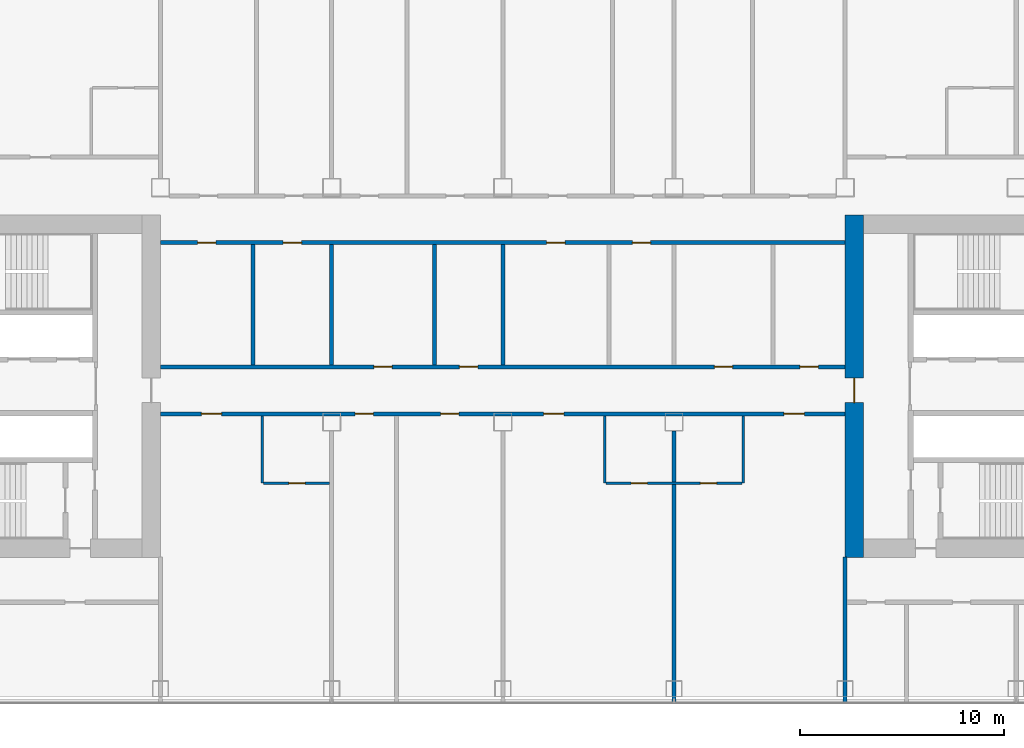
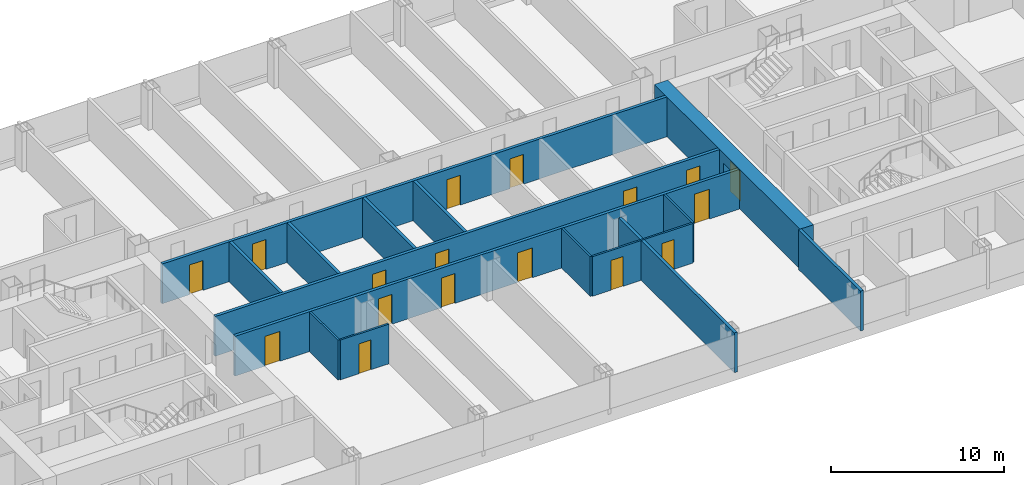
# One storey, part 17 of 29: 17 doors, 15 walls, 17 openings.
"""IFC4 building model written with IfcOpenShell, lengths in metres."""

from ifc_helpers import new_model, si_unit, direction, frame, frame_2d, origin, place, context, subcontext, project, spatial, rectangle, extrude, material, layer, layer_set, type_object, element, fill, save


model = new_model("IFC4")

# Units and contexts
model_context = context("Model", 3, precision=1e-05, world=origin(), true_north=direction((0.0, 1.0)))
body_context = subcontext(model_context, "Body", "Model", "MODEL_VIEW")
ifc_project = project(units=[si_unit("LENGTHUNIT", "METRE"), si_unit("AREAUNIT", "SQUARE_METRE"), si_unit("VOLUMEUNIT", "CUBIC_METRE"), si_unit("PLANEANGLEUNIT", "RADIAN"), si_unit("MASSUNIT", "GRAM", prefix="KILO")], contexts=[model_context])

# Site, building, storey
site_placement = place(None, origin())
site = spatial("IfcSite", under=ifc_project, at=site_placement, CompositionType="ELEMENT")
building_placement = place(site_placement, origin())
building = spatial("IfcBuilding", under=site, at=building_placement, Name="Hakoniwa Tower and Hamabe Station Hall", CompositionType="ELEMENT")
storey_placement = place(building_placement, frame((0.0, 0.0, 91.39990234375)))
storey = spatial("IfcBuildingStorey", under=building, at=storey_placement, Name="L25", CompositionType="ELEMENT", Elevation=91.39990234375)

# Wall, opening, door
ifc_material_1 = material(Name="Gypsum board partition", Category="gypsum")
ifc_layer_1 = layer(ifc_material_1, 0.125)
ifc_layer_set_1 = layer_set([ifc_layer_1], Name="Bathroom Partition 125")
wall_type_1 = type_object("IfcWallType", Name="Bathroom Partition 125", PredefinedType="PARTITIONING", material=ifc_layer_set_1)
wall_1_placement = place(storey_placement, frame((-11.737548828125, -4.75, 0.0), z_axis=(0.0, 0.0, 1.0), x_axis=(1.0, 0.0, 0.0)))
wall_1 = element("IfcWall", 1, at=wall_1_placement, inside=storey, type_object=wall_type_1, Name="GW-L25-006", PredefinedType="PARTITIONING", context=body_context, shape_type="SweptSolid", body=[
    extrude(rectangle(XDim=3.237548828125, YDim=0.125, at=frame_2d((1.61865234375, 0.0))), origin(), (0.0, 0.0, 1.0), 2.800048828125),
])
opening_1_placement = place(wall_1_placement, frame((1.237548828125, 0.0, 0.0)))
opening_1 = element("IfcOpeningElement", 2, at=opening_1_placement, cuts=wall_1, Name="Opening GD-G2A1-17", PredefinedType="OPENING", context=body_context, shape_type="SweptSolid", body=[
    extrude(rectangle(XDim=0.800048828125, YDim=2.10009765625, at=frame_2d((0.39990234375, 1.050048828125))), frame((0.0, 0.072509765625, 0.0), z_axis=(0.0, -1.0, 0.0), x_axis=(1.0, 0.0, 0.0)), (0.0, 0.0, 1.0), 0.14501953125),
])
ifc_material_2 = material(Name="Timber door leaf", Category="wood")
door_type_1 = type_object("IfcDoorType", Name="Bathroom Door 800", OperationType="SINGLE_SWING_LEFT", PredefinedType="DOOR", material=ifc_material_2)
door_1_placement = place(opening_1_placement, origin())
door_1 = element("IfcDoor", 3, at=door_1_placement, inside=storey, type_object=door_type_1, Name="Door GD-G2A1-17", OperationType="SINGLE_SWING_RIGHT", OverallHeight=2.10009765625, OverallWidth=0.800048828125, PredefinedType="DOOR", context=body_context, shape_type="SweptSolid", body=[
    extrude(rectangle(XDim=0.800048828125, YDim=2.10009765625, at=frame_2d((0.39990234375, 1.050048828125))), frame((0.0, 0.02490234375, 0.0), z_axis=(0.0, -1.0, 0.0), x_axis=(1.0, 0.0, 0.0)), (0.0, 0.0, 1.0), 0.050048828125),
])
fill(opening_1, door_1)

# Wall, openings, doors
wall_2_placement = place(storey_placement, frame((5.0625, -4.75, 0.0), z_axis=(0.0, 0.0, 1.0), x_axis=(1.0, 0.0, 0.0)))
wall_2 = element("IfcWall", 4, at=wall_2_placement, inside=storey, type_object=wall_type_1, Name="GW-L25-007", PredefinedType="PARTITIONING", context=body_context, shape_type="SweptSolid", body=[
    extrude(rectangle(XDim=6.675048828125, YDim=0.125, at=frame_2d((3.33740234375, 0.0))), origin(), (0.0, 0.0, 1.0), 2.800048828125),
])
opening_2_placement = place(wall_2_placement, frame((1.237548828125, 0.0, 0.0)))
opening_2 = element("IfcOpeningElement", 5, at=opening_2_placement, cuts=wall_2, Name="Opening GD-G2A1-18", PredefinedType="OPENING", context=body_context, shape_type="SweptSolid", body=[
    extrude(rectangle(XDim=0.800048828125, YDim=2.10009765625, at=frame_2d((0.39990234375, 1.050048828125))), frame((0.0, 0.072509765625, 0.0), z_axis=(0.0, -1.0, 0.0), x_axis=(1.0, 0.0, 0.0)), (0.0, 0.0, 1.0), 0.14501953125),
])
opening_3_placement = place(wall_2_placement, frame((4.637451171875, 0.0, 0.0)))
opening_3 = element("IfcOpeningElement", 6, at=opening_3_placement, cuts=wall_2, Name="Opening GD-G2A1-19", PredefinedType="OPENING", context=body_context, shape_type="SweptSolid", body=[
    extrude(rectangle(XDim=0.800048828125, YDim=2.10009765625, at=frame_2d((0.39990234375, 1.050048828125))), frame((0.0, 0.072509765625, 0.0), z_axis=(0.0, -1.0, 0.0), x_axis=(1.0, 0.0, 0.0)), (0.0, 0.0, 1.0), 0.14501953125),
])
door_2_placement = place(opening_2_placement, origin())
door_2 = element("IfcDoor", 7, at=door_2_placement, inside=storey, type_object=door_type_1, Name="Door GD-G2A1-18", OperationType="SINGLE_SWING_LEFT", OverallHeight=2.10009765625, OverallWidth=0.800048828125, PredefinedType="DOOR", context=body_context, shape_type="SweptSolid", body=[
    extrude(rectangle(XDim=0.800048828125, YDim=2.10009765625, at=frame_2d((0.39990234375, 1.050048828125))), frame((0.0, 0.02490234375, 0.0), z_axis=(0.0, -1.0, 0.0), x_axis=(1.0, 0.0, 0.0)), (0.0, 0.0, 1.0), 0.050048828125),
])
fill(opening_2, door_2)
door_3_placement = place(opening_3_placement, origin())
door_3 = element("IfcDoor", 8, at=door_3_placement, inside=storey, type_object=door_type_1, Name="Door GD-G2A1-19", OperationType="SINGLE_SWING_RIGHT", OverallHeight=2.10009765625, OverallWidth=0.800048828125, PredefinedType="DOOR", context=body_context, shape_type="SweptSolid", body=[
    extrude(rectangle(XDim=0.800048828125, YDim=2.10009765625, at=frame_2d((0.39990234375, 1.050048828125))), frame((0.0, 0.02490234375, 0.0), z_axis=(0.0, -1.0, 0.0), x_axis=(1.0, 0.0, 0.0)), (0.0, 0.0, 1.0), 0.050048828125),
])
fill(opening_3, door_3)

# Walls
for number, where, z_axis, x_axis, name in (
    (9, (-11.800048828125, -4.75, 0.0), (0.0, 0.0, 1.0), (0.0, 1.0, 0.0), "GW-L25-045"),
    (10, (5.0, -4.75, 0.0), (0.0, 0.0, 1.0), (0.0, 1.0, 0.0), "GW-L25-055"),
    (11, (11.800048828125, -4.75, 0.0), (0.0, 0.0, 1.0), (0.0, 1.0, 0.0), "GW-L25-061"),
):
    element("IfcWall", number, at=place(storey_placement, frame(where, z_axis=z_axis, x_axis=x_axis)), inside=storey, type_object=wall_type_1, Name=name, PredefinedType="PARTITIONING", context=body_context, shape_type="SweptSolid", body=[
        extrude(rectangle(XDim=3.300048828125, YDim=0.125, at=frame_2d((1.64990234375, 0.0))), origin(), (0.0, 0.0, 1.0), 2.800048828125),
    ])

# Wall, opening, door
ifc_material_3 = material(Name="Concrete C72", Category="concrete")
ifc_layer_2 = layer(ifc_material_3, 0.89990234375)
ifc_layer_set_2 = layer_set([ifc_layer_2], Name="CORE WALL 900 C72")
wall_type_2 = type_object("IfcWallType", Name="CORE WALL 900 C72", PredefinedType="SHEAR", material=ifc_layer_set_2)
wall_3_placement = place(storey_placement, frame((17.25, -8.39990234375, 0.0), z_axis=(0.0, 0.0, 1.0), x_axis=(0.0, 1.0, 0.0)))
wall_3 = element("IfcWall", 12, at=wall_3_placement, inside=storey, type_object=wall_type_2, Name="Core wall INNER east", PredefinedType="SHEAR", context=body_context, shape_type="SweptSolid", body=[
    extrude(rectangle(XDim=16.7998046875, YDim=0.89990234375, at=frame_2d((8.39990234375, 0.0))), origin(), (0.0, 0.0, 1.0), 2.800048828125),
])
opening_4_placement = place(wall_3_placement, frame((7.60009765625, 0.0, 0.0)))
opening_4 = element("IfcOpeningElement", 13, at=opening_4_placement, cuts=wall_3, Name="Opening CD-E-IN1-12", PredefinedType="OPENING", context=body_context, shape_type="SweptSolid", body=[
    extrude(rectangle(XDim=1.199951171875, YDim=2.10009765625, at=frame_2d((0.60009765625, 1.050048828125))), frame((0.0, 0.4599609375, 0.0), z_axis=(0.0, -1.0, 0.0), x_axis=(1.0, 0.0, 0.0)), (0.0, 0.0, 1.0), 0.919921875),
])
ifc_material_4 = material(Name="Steel fire door", Category="steel")
door_type_2 = type_object("IfcDoorType", Name="CORE DOOR 1200 FD60", OperationType="DOUBLE_DOOR_SINGLE_SWING", PredefinedType="DOOR", material=ifc_material_4)
door_4_placement = place(opening_4_placement, origin())
door_4 = element("IfcDoor", 14, at=door_4_placement, inside=storey, type_object=door_type_2, Name="Lift lobby door", OperationType="DOUBLE_DOOR_SINGLE_SWING", OverallHeight=2.10009765625, OverallWidth=1.199951171875, PredefinedType="DOOR", context=body_context, shape_type="SweptSolid", body=[
    extrude(rectangle(XDim=1.199951171875, YDim=2.10009765625, at=frame_2d((0.60009765625, 1.050048828125))), frame((0.0, 0.02490234375, 0.0), z_axis=(0.0, -1.0, 0.0), x_axis=(1.0, 0.0, 0.0)), (0.0, 0.0, 1.0), 0.050048828125),
])
fill(opening_4, door_4)

# Wall, openings, doors
ifc_material_5 = material(Name="Fire-rated gypsum board partition", Category="gypsum")
ifc_layer_3 = layer(ifc_material_5, 0.199951171875)
ifc_layer_set_3 = layer_set([ifc_layer_3], Name="Corridor Wall 200")
wall_type_3 = type_object("IfcWallType", Name="Corridor Wall 200", PredefinedType="PARTITIONING", material=ifc_layer_set_3)
wall_4_placement = place(storey_placement, frame((-16.800048828125, -1.35009765625, 0.0), z_axis=(0.0, 0.0, 1.0), x_axis=(1.0, 0.0, 0.0)))
wall_4 = element("IfcWall", 15, at=wall_4_placement, inside=storey, type_object=wall_type_3, Name="GW-L25-008", PredefinedType="PARTITIONING", context=body_context, shape_type="SweptSolid", body=[
    extrude(rectangle(XDim=33.60009765625, YDim=0.199951171875, at=frame_2d((16.800048828125, 0.0))), origin(), (0.0, 0.0, 1.0), 2.800048828125),
])
opening_5_placement = place(wall_4_placement, frame((2.0, 0.0, 0.0)))
opening_5 = element("IfcOpeningElement", 16, at=opening_5_placement, cuts=wall_4, Name="Opening GD-G2A1-20", PredefinedType="OPENING", context=body_context, shape_type="SweptSolid", body=[
    extrude(rectangle(XDim=1.0, YDim=2.10009765625, at=frame_2d((0.5, 1.050048828125))), frame((0.0, 0.10986328125, 0.0), z_axis=(0.0, -1.0, 0.0), x_axis=(1.0, 0.0, 0.0)), (0.0, 0.0, 1.0), 0.219970703125),
])
opening_6_placement = place(wall_4_placement, frame((9.544921875, 0.0, 0.0)))
opening_6 = element("IfcOpeningElement", 17, at=opening_6_placement, cuts=wall_4, Name="Opening GD-G2A1-21", PredefinedType="OPENING", context=body_context, shape_type="SweptSolid", body=[
    extrude(rectangle(XDim=0.89990234375, YDim=2.10009765625, at=frame_2d((0.449951171875, 1.050048828125))), frame((0.0, 0.10986328125, 0.0), z_axis=(0.0, -1.0, 0.0), x_axis=(1.0, 0.0, 0.0)), (0.0, 0.0, 1.0), 0.219970703125),
])
opening_7_placement = place(wall_4_placement, frame((13.7451171875, 0.0, 0.0)))
opening_7 = element("IfcOpeningElement", 18, at=opening_7_placement, cuts=wall_4, Name="Opening GD-G2A1-22", PredefinedType="OPENING", context=body_context, shape_type="SweptSolid", body=[
    extrude(rectangle(XDim=0.89990234375, YDim=2.10009765625, at=frame_2d((0.449951171875, 1.050048828125))), frame((0.0, 0.10986328125, 0.0), z_axis=(0.0, -1.0, 0.0), x_axis=(1.0, 0.0, 0.0)), (0.0, 0.0, 1.0), 0.219970703125),
])
opening_8_placement = place(wall_4_placement, frame((18.800048828125, 0.0, 0.0)))
opening_8 = element("IfcOpeningElement", 19, at=opening_8_placement, cuts=wall_4, Name="Opening GD-G2A1-23", PredefinedType="OPENING", context=body_context, shape_type="SweptSolid", body=[
    extrude(rectangle(XDim=1.0, YDim=2.10009765625, at=frame_2d((0.5, 1.050048828125))), frame((0.0, 0.10986328125, 0.0), z_axis=(0.0, -1.0, 0.0), x_axis=(1.0, 0.0, 0.0)), (0.0, 0.0, 1.0), 0.219970703125),
])
opening_9_placement = place(wall_4_placement, frame((30.60009765625, 0.0, 0.0)))
opening_9 = element("IfcOpeningElement", 20, at=opening_9_placement, cuts=wall_4, Name="Opening GD-G2A1-24", PredefinedType="OPENING", context=body_context, shape_type="SweptSolid", body=[
    extrude(rectangle(XDim=1.0, YDim=2.10009765625, at=frame_2d((0.5, 1.050048828125))), frame((0.0, 0.10986328125, 0.0), z_axis=(0.0, -1.0, 0.0), x_axis=(1.0, 0.0, 0.0)), (0.0, 0.0, 1.0), 0.219970703125),
])
ifc_material_6 = material(Name="Timber door leaf", Category="wood")
door_type_3 = type_object("IfcDoorType", Name="Guest Entrance Door 1000", OperationType="SINGLE_SWING_LEFT", PredefinedType="DOOR", material=ifc_material_6)
door_5_placement = place(opening_5_placement, origin())
door_5 = element("IfcDoor", 21, at=door_5_placement, inside=storey, type_object=door_type_3, Name="Door GD-G2A1-20", OperationType="SINGLE_SWING_LEFT", OverallHeight=2.10009765625, OverallWidth=1.0, PredefinedType="DOOR", context=body_context, shape_type="SweptSolid", body=[
    extrude(rectangle(XDim=1.0, YDim=2.10009765625, at=frame_2d((0.5, 1.050048828125))), frame((0.0, 0.02490234375, 0.0), z_axis=(0.0, -1.0, 0.0), x_axis=(1.0, 0.0, 0.0)), (0.0, 0.0, 1.0), 0.050048828125),
])
fill(opening_5, door_5)
door_6_placement = place(opening_8_placement, origin())
door_6 = element("IfcDoor", 22, at=door_6_placement, inside=storey, type_object=door_type_3, Name="Door GD-G2A1-23", OperationType="SINGLE_SWING_RIGHT", OverallHeight=2.10009765625, OverallWidth=1.0, PredefinedType="DOOR", context=body_context, shape_type="SweptSolid", body=[
    extrude(rectangle(XDim=1.0, YDim=2.10009765625, at=frame_2d((0.5, 1.050048828125))), frame((0.0, 0.02490234375, 0.0), z_axis=(0.0, -1.0, 0.0), x_axis=(1.0, 0.0, 0.0)), (0.0, 0.0, 1.0), 0.050048828125),
])
fill(opening_8, door_6)
door_7_placement = place(opening_9_placement, origin())
door_7 = element("IfcDoor", 23, at=door_7_placement, inside=storey, type_object=door_type_3, Name="Door GD-G2A1-24", OperationType="SINGLE_SWING_LEFT", OverallHeight=2.10009765625, OverallWidth=1.0, PredefinedType="DOOR", context=body_context, shape_type="SweptSolid", body=[
    extrude(rectangle(XDim=1.0, YDim=2.10009765625, at=frame_2d((0.5, 1.050048828125))), frame((0.0, 0.02490234375, 0.0), z_axis=(0.0, -1.0, 0.0), x_axis=(1.0, 0.0, 0.0)), (0.0, 0.0, 1.0), 0.050048828125),
])
fill(opening_9, door_7)
ifc_material_7 = material(Name="Timber door leaf", Category="wood")
door_type_4 = type_object("IfcDoorType", Name="Service Door 900", OperationType="SINGLE_SWING_LEFT", PredefinedType="DOOR", material=ifc_material_7)
door_8_placement = place(opening_6_placement, origin())
door_8 = element("IfcDoor", 24, at=door_8_placement, inside=storey, type_object=door_type_4, Name="Door GD-G2A1-21", OperationType="SINGLE_SWING_RIGHT", OverallHeight=2.10009765625, OverallWidth=0.89990234375, PredefinedType="DOOR", context=body_context, shape_type="SweptSolid", body=[
    extrude(rectangle(XDim=0.89990234375, YDim=2.10009765625, at=frame_2d((0.449951171875, 1.050048828125))), frame((0.0, 0.02490234375, 0.0), z_axis=(0.0, -1.0, 0.0), x_axis=(1.0, 0.0, 0.0)), (0.0, 0.0, 1.0), 0.050048828125),
])
fill(opening_6, door_8)
door_9_placement = place(opening_7_placement, origin())
door_9 = element("IfcDoor", 25, at=door_9_placement, inside=storey, type_object=door_type_4, Name="Door GD-G2A1-22", OperationType="SINGLE_SWING_LEFT", OverallHeight=2.10009765625, OverallWidth=0.89990234375, PredefinedType="DOOR", context=body_context, shape_type="SweptSolid", body=[
    extrude(rectangle(XDim=0.89990234375, YDim=2.10009765625, at=frame_2d((0.449951171875, 1.050048828125))), frame((0.0, 0.02490234375, 0.0), z_axis=(0.0, -1.0, 0.0), x_axis=(1.0, 0.0, 0.0)), (0.0, 0.0, 1.0), 0.050048828125),
])
fill(opening_7, door_9)

wall_5_placement = place(storey_placement, frame((-16.800048828125, 0.949951171875, 0.0), z_axis=(0.0, 0.0, 1.0), x_axis=(1.0, 0.0, 0.0)))
wall_5 = element("IfcWall", 26, at=wall_5_placement, inside=storey, type_object=wall_type_3, Name="GW-L25-011", PredefinedType="PARTITIONING", context=body_context, shape_type="SweptSolid", body=[
    extrude(rectangle(XDim=33.60009765625, YDim=0.199951171875, at=frame_2d((16.800048828125, 0.0))), origin(), (0.0, 0.0, 1.0), 2.800048828125),
])
opening_10_placement = place(wall_5_placement, frame((10.469970703125, 0.0, 0.0)))
opening_10 = element("IfcOpeningElement", 27, at=opening_10_placement, cuts=wall_5, Name="Opening GD-G2A1-25", PredefinedType="OPENING", context=body_context, shape_type="SweptSolid", body=[
    extrude(rectangle(XDim=0.89990234375, YDim=2.10009765625, at=frame_2d((0.449951171875, 1.050048828125))), frame((0.0, 0.10986328125, 0.0), z_axis=(0.0, -1.0, 0.0), x_axis=(1.0, 0.0, 0.0)), (0.0, 0.0, 1.0), 0.219970703125),
])
opening_11_placement = place(wall_5_placement, frame((14.669921875, 0.0, 0.0)))
opening_11 = element("IfcOpeningElement", 28, at=opening_11_placement, cuts=wall_5, Name="Opening GD-G2A1-26", PredefinedType="OPENING", context=body_context, shape_type="SweptSolid", body=[
    extrude(rectangle(XDim=0.89990234375, YDim=2.10009765625, at=frame_2d((0.449951171875, 1.050048828125))), frame((0.0, 0.10986328125, 0.0), z_axis=(0.0, -1.0, 0.0), x_axis=(1.0, 0.0, 0.0)), (0.0, 0.0, 1.0), 0.219970703125),
])
opening_12_placement = place(wall_5_placement, frame((27.18505859375, 0.0, 0.0)))
opening_12 = element("IfcOpeningElement", 29, at=opening_12_placement, cuts=wall_5, Name="Opening GD-G2A1-27", PredefinedType="OPENING", context=body_context, shape_type="SweptSolid", body=[
    extrude(rectangle(XDim=0.89990234375, YDim=2.10009765625, at=frame_2d((0.449951171875, 1.050048828125))), frame((0.0, 0.10986328125, 0.0), z_axis=(0.0, -1.0, 0.0), x_axis=(1.0, 0.0, 0.0)), (0.0, 0.0, 1.0), 0.219970703125),
])
opening_13_placement = place(wall_5_placement, frame((31.385009765625, 0.0, 0.0)))
opening_13 = element("IfcOpeningElement", 30, at=opening_13_placement, cuts=wall_5, Name="Opening GD-G2A1-28", PredefinedType="OPENING", context=body_context, shape_type="SweptSolid", body=[
    extrude(rectangle(XDim=0.89990234375, YDim=2.10009765625, at=frame_2d((0.449951171875, 1.050048828125))), frame((0.0, 0.10986328125, 0.0), z_axis=(0.0, -1.0, 0.0), x_axis=(1.0, 0.0, 0.0)), (0.0, 0.0, 1.0), 0.219970703125),
])
door_10_placement = place(opening_10_placement, origin())
door_10 = element("IfcDoor", 31, at=door_10_placement, inside=storey, type_object=door_type_4, Name="Door GD-G2A1-25", OperationType="SINGLE_SWING_LEFT", OverallHeight=2.10009765625, OverallWidth=0.89990234375, PredefinedType="DOOR", context=body_context, shape_type="SweptSolid", body=[
    extrude(rectangle(XDim=0.89990234375, YDim=2.10009765625, at=frame_2d((0.449951171875, 1.050048828125))), frame((0.0, 0.02490234375, 0.0), z_axis=(0.0, -1.0, 0.0), x_axis=(1.0, 0.0, 0.0)), (0.0, 0.0, 1.0), 0.050048828125),
])
fill(opening_10, door_10)
door_11_placement = place(opening_11_placement, origin())
door_11 = element("IfcDoor", 32, at=door_11_placement, inside=storey, type_object=door_type_4, Name="Door GD-G2A1-26", OperationType="SINGLE_SWING_RIGHT", OverallHeight=2.10009765625, OverallWidth=0.89990234375, PredefinedType="DOOR", context=body_context, shape_type="SweptSolid", body=[
    extrude(rectangle(XDim=0.89990234375, YDim=2.10009765625, at=frame_2d((0.449951171875, 1.050048828125))), frame((0.0, 0.02490234375, 0.0), z_axis=(0.0, -1.0, 0.0), x_axis=(1.0, 0.0, 0.0)), (0.0, 0.0, 1.0), 0.050048828125),
])
fill(opening_11, door_11)
door_12_placement = place(opening_12_placement, origin())
door_12 = element("IfcDoor", 33, at=door_12_placement, inside=storey, type_object=door_type_4, Name="Door GD-G2A1-27", OperationType="SINGLE_SWING_LEFT", OverallHeight=2.10009765625, OverallWidth=0.89990234375, PredefinedType="DOOR", context=body_context, shape_type="SweptSolid", body=[
    extrude(rectangle(XDim=0.89990234375, YDim=2.10009765625, at=frame_2d((0.449951171875, 1.050048828125))), frame((0.0, 0.02490234375, 0.0), z_axis=(0.0, -1.0, 0.0), x_axis=(1.0, 0.0, 0.0)), (0.0, 0.0, 1.0), 0.050048828125),
])
fill(opening_12, door_12)
door_13_placement = place(opening_13_placement, origin())
door_13 = element("IfcDoor", 34, at=door_13_placement, inside=storey, type_object=door_type_4, Name="Door GD-G2A1-28", OperationType="SINGLE_SWING_RIGHT", OverallHeight=2.10009765625, OverallWidth=0.89990234375, PredefinedType="DOOR", context=body_context, shape_type="SweptSolid", body=[
    extrude(rectangle(XDim=0.89990234375, YDim=2.10009765625, at=frame_2d((0.449951171875, 1.050048828125))), frame((0.0, 0.02490234375, 0.0), z_axis=(0.0, -1.0, 0.0), x_axis=(1.0, 0.0, 0.0)), (0.0, 0.0, 1.0), 0.050048828125),
])
fill(opening_13, door_13)

wall_6_placement = place(storey_placement, frame((-16.800048828125, 7.050048828125, 0.0), z_axis=(0.0, 0.0, 1.0), x_axis=(1.0, 0.0, 0.0)))
wall_6 = element("IfcWall", 35, at=wall_6_placement, inside=storey, type_object=wall_type_3, Name="GW-L25-014", PredefinedType="PARTITIONING", context=body_context, shape_type="SweptSolid", body=[
    extrude(rectangle(XDim=33.60009765625, YDim=0.199951171875, at=frame_2d((16.800048828125, 0.0))), origin(), (0.0, 0.0, 1.0), 2.800048828125),
])
opening_14_placement = place(wall_6_placement, frame((1.820068359375, 0.0, 0.0)))
opening_14 = element("IfcOpeningElement", 36, at=opening_14_placement, cuts=wall_6, Name="Opening GD-G2A1-31", PredefinedType="OPENING", context=body_context, shape_type="SweptSolid", body=[
    extrude(rectangle(XDim=0.89990234375, YDim=2.10009765625, at=frame_2d((0.449951171875, 1.050048828125))), frame((0.0, 0.10986328125, 0.0), z_axis=(0.0, -1.0, 0.0), x_axis=(1.0, 0.0, 0.0)), (0.0, 0.0, 1.0), 0.219970703125),
])
opening_15_placement = place(wall_6_placement, frame((6.02001953125, 0.0, 0.0)))
opening_15 = element("IfcOpeningElement", 37, at=opening_15_placement, cuts=wall_6, Name="Opening GD-G2A1-32", PredefinedType="OPENING", context=body_context, shape_type="SweptSolid", body=[
    extrude(rectangle(XDim=0.89990234375, YDim=2.10009765625, at=frame_2d((0.449951171875, 1.050048828125))), frame((0.0, 0.10986328125, 0.0), z_axis=(0.0, -1.0, 0.0), x_axis=(1.0, 0.0, 0.0)), (0.0, 0.0, 1.0), 0.219970703125),
])
opening_16_placement = place(wall_6_placement, frame((18.955078125, 0.0, 0.0)))
opening_16 = element("IfcOpeningElement", 38, at=opening_16_placement, cuts=wall_6, Name="Opening GD-G2A1-33", PredefinedType="OPENING", context=body_context, shape_type="SweptSolid", body=[
    extrude(rectangle(XDim=0.89990234375, YDim=2.10009765625, at=frame_2d((0.449951171875, 1.050048828125))), frame((0.0, 0.10986328125, 0.0), z_axis=(0.0, -1.0, 0.0), x_axis=(1.0, 0.0, 0.0)), (0.0, 0.0, 1.0), 0.219970703125),
])
opening_17_placement = place(wall_6_placement, frame((23.155029296875, 0.0, 0.0)))
opening_17 = element("IfcOpeningElement", 39, at=opening_17_placement, cuts=wall_6, Name="Opening GD-G2A1-34", PredefinedType="OPENING", context=body_context, shape_type="SweptSolid", body=[
    extrude(rectangle(XDim=0.89990234375, YDim=2.10009765625, at=frame_2d((0.449951171875, 1.050048828125))), frame((0.0, 0.10986328125, 0.0), z_axis=(0.0, -1.0, 0.0), x_axis=(1.0, 0.0, 0.0)), (0.0, 0.0, 1.0), 0.219970703125),
])
door_14_placement = place(opening_14_placement, origin())
door_14 = element("IfcDoor", 40, at=door_14_placement, inside=storey, type_object=door_type_4, Name="Door GD-G2A1-31", OperationType="SINGLE_SWING_LEFT", OverallHeight=2.10009765625, OverallWidth=0.89990234375, PredefinedType="DOOR", context=body_context, shape_type="SweptSolid", body=[
    extrude(rectangle(XDim=0.89990234375, YDim=2.10009765625, at=frame_2d((0.449951171875, 1.050048828125))), frame((0.0, 0.02490234375, 0.0), z_axis=(0.0, -1.0, 0.0), x_axis=(1.0, 0.0, 0.0)), (0.0, 0.0, 1.0), 0.050048828125),
])
fill(opening_14, door_14)
door_15_placement = place(opening_15_placement, origin())
door_15 = element("IfcDoor", 41, at=door_15_placement, inside=storey, type_object=door_type_4, Name="Door GD-G2A1-32", OperationType="SINGLE_SWING_RIGHT", OverallHeight=2.10009765625, OverallWidth=0.89990234375, PredefinedType="DOOR", context=body_context, shape_type="SweptSolid", body=[
    extrude(rectangle(XDim=0.89990234375, YDim=2.10009765625, at=frame_2d((0.449951171875, 1.050048828125))), frame((0.0, 0.02490234375, 0.0), z_axis=(0.0, -1.0, 0.0), x_axis=(1.0, 0.0, 0.0)), (0.0, 0.0, 1.0), 0.050048828125),
])
fill(opening_15, door_15)
door_16_placement = place(opening_16_placement, origin())
door_16 = element("IfcDoor", 42, at=door_16_placement, inside=storey, type_object=door_type_4, Name="Door GD-G2A1-33", OperationType="SINGLE_SWING_LEFT", OverallHeight=2.10009765625, OverallWidth=0.89990234375, PredefinedType="DOOR", context=body_context, shape_type="SweptSolid", body=[
    extrude(rectangle(XDim=0.89990234375, YDim=2.10009765625, at=frame_2d((0.449951171875, 1.050048828125))), frame((0.0, 0.02490234375, 0.0), z_axis=(0.0, -1.0, 0.0), x_axis=(1.0, 0.0, 0.0)), (0.0, 0.0, 1.0), 0.050048828125),
])
fill(opening_16, door_16)
door_17_placement = place(opening_17_placement, origin())
door_17 = element("IfcDoor", 43, at=door_17_placement, inside=storey, type_object=door_type_4, Name="Door GD-G2A1-34", OperationType="SINGLE_SWING_RIGHT", OverallHeight=2.10009765625, OverallWidth=0.89990234375, PredefinedType="DOOR", context=body_context, shape_type="SweptSolid", body=[
    extrude(rectangle(XDim=0.89990234375, YDim=2.10009765625, at=frame_2d((0.449951171875, 1.050048828125))), frame((0.0, 0.02490234375, 0.0), z_axis=(0.0, -1.0, 0.0), x_axis=(1.0, 0.0, 0.0)), (0.0, 0.0, 1.0), 0.050048828125),
])
fill(opening_17, door_17)

# Walls
ifc_material_8 = material(Name="Fire-rated gypsum board partition", Category="gypsum")
ifc_layer_4 = layer(ifc_material_8, 0.199951171875)
ifc_layer_set_4 = layer_set([ifc_layer_4], Name="Party Wall 200")
wall_type_4 = type_object("IfcWallType", Name="Party Wall 200", PredefinedType="PARTITIONING", material=ifc_layer_set_4)
for number, where, z_axis, x_axis, name in (
    (44, (-12.260009765625, 1.050048828125, 0.0), (0.0, 0.0, 1.0), (0.0, 1.0, 0.0), "GW-L25-043"),
    (45, (-8.39990234375, 1.050048828125, 0.0), (0.0, 0.0, 1.0), (0.0, 1.0, 0.0), "GW-L25-047"),
    (46, (-3.360107421875, 1.050048828125, 0.0), (0.0, 0.0, 1.0), (0.0, 1.0, 0.0), "GW-L25-051"),
    (47, (0.0, 1.050048828125, 0.0), (0.0, 0.0, 1.0), (0.0, 1.0, 0.0), "GW-L25-053"),
):
    element("IfcWall", number, at=place(storey_placement, frame(where, z_axis=z_axis, x_axis=x_axis)), inside=storey, type_object=wall_type_4, Name=name, PredefinedType="PARTITIONING", context=body_context, shape_type="SweptSolid", body=[
        extrude(rectangle(XDim=5.89990234375, YDim=0.199951171875, at=frame_2d((2.949951171875, 0.0))), origin(), (0.0, 0.0, 1.0), 2.800048828125),
    ])
wall_7_placement = place(storey_placement, frame((8.39990234375, -15.550048828125, 0.0), z_axis=(0.0, 0.0, 1.0), x_axis=(0.0, 1.0, 0.0)))
element("IfcWall", 48, at=wall_7_placement, inside=storey, type_object=wall_type_4, Name="GW-L25-058", PredefinedType="PARTITIONING", context=body_context, shape_type="SweptSolid", body=[
    extrude(rectangle(XDim=13.360107421875, YDim=0.199951171875, at=frame_2d((6.68017578125, 0.0))), origin(), (0.0, 0.0, 1.0), 2.800048828125),
])
wall_8_placement = place(storey_placement, frame((16.800048828125, -15.550048828125, 0.0), z_axis=(0.0, 0.0, 1.0), x_axis=(0.0, 1.0, 0.0)))
element("IfcWall", 49, at=wall_8_placement, inside=storey, type_object=wall_type_4, Name="GW-L25-064", PredefinedType="PARTITIONING", context=body_context, shape_type="SweptSolid", body=[
    extrude(rectangle(XDim=7.16015625, YDim=0.199951171875, at=frame_2d((3.580078125, 0.0))), origin(), (0.0, 0.0, 1.0), 2.800048828125),
])

save(model, "model.ifc")
